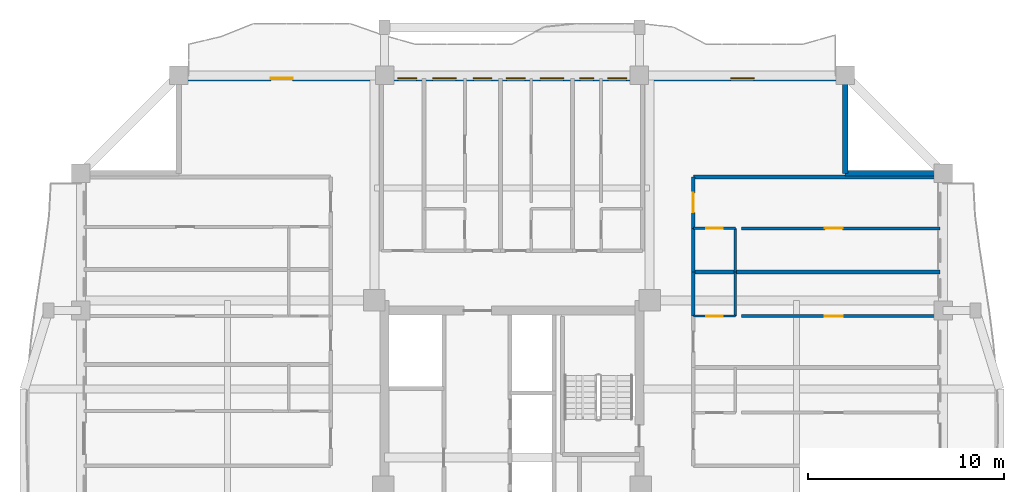
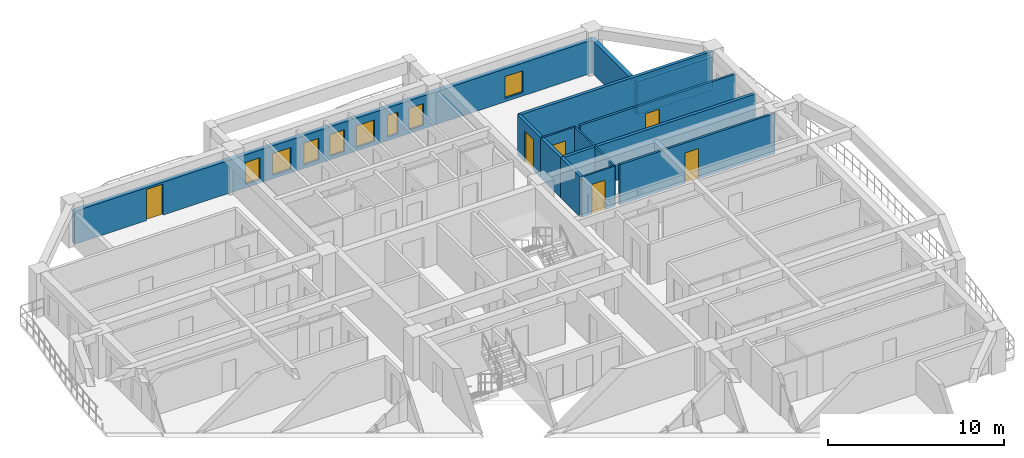
# One storey, part 8 of 15: 14 walls, 8 windows, 6 doors, 14 openings.
"""IFC4 building model written with IfcOpenShell, lengths in metres."""

from ifc_helpers import new_model, si_unit, direction, frame, frame_2d, origin, place, context, subcontext, project, spatial, rectangle, extrude, source, transform, mapped, material, layer, layer_set, type_object, element, fill, save


model = new_model("IFC4")

# Units and contexts
model_context = context("Model", 3, precision=1e-05, world=origin(), true_north=direction((0.0, 1.0)))
body_context = subcontext(model_context, "Body", "Model", "MODEL_VIEW")
ifc_project = project(units=[si_unit("LENGTHUNIT", "METRE"), si_unit("AREAUNIT", "SQUARE_METRE"), si_unit("VOLUMEUNIT", "CUBIC_METRE"), si_unit("PLANEANGLEUNIT", "RADIAN"), si_unit("MASSUNIT", "GRAM", prefix="KILO")], contexts=[model_context])

# Site, building, storey
site_placement = place(None, origin())
site = spatial("IfcSite", under=ifc_project, at=site_placement, CompositionType="ELEMENT")
building_placement = place(site_placement, origin())
building = spatial("IfcBuilding", under=site, at=building_placement, Name="Saelheon Loggia Tower", CompositionType="ELEMENT")
storey_placement = place(building_placement, frame((0.0, 0.0, 163.0)))
storey = spatial("IfcBuildingStorey", under=building, at=storey_placement, Name="L51", CompositionType="ELEMENT", Elevation=163.0)

# Wall, openings, windows, door
ifc_material_1 = material(Name="Architectural Precast Concrete C40/50", Category="concrete")
ifc_layer_1 = layer(ifc_material_1, 0.280029296875)
ifc_layer_set_1 = layer_set([ifc_layer_1], Name="Architectural Precast Concrete C40/50")
wall_type_1 = type_object("IfcWallType", Name="Wall_Ext_Loggia_280", PredefinedType="SOLIDWALL", material=ifc_layer_set_1)
wall_1_placement = place(storey_placement, frame((21.0, 47.860107421875, 0.0), z_axis=(0.0, 0.0, 1.0), x_axis=(1.0, 0.0, 0.0)))
wall_1 = element("IfcWall", 1, at=wall_1_placement, inside=storey, type_object=wall_type_1, Name="L51 North Loggia Inner Wall", PredefinedType="SOLIDWALL", context=body_context, shape_type="SweptSolid", body=[
    extrude(rectangle(XDim=34.0, YDim=0.280029296875, at=frame_2d((17.0, 0.0))), origin(), (0.0, 0.0, 1.0), 2.280029296875),
])
opening_1_placement = place(wall_1_placement, frame((4.699951171875, 0.0, 0.0)))
opening_1 = element("IfcOpeningElement", 2, at=opening_1_placement, cuts=wall_1, Name="Opening TD1", PredefinedType="OPENING", context=body_context, shape_type="SweptSolid", body=[
    extrude(rectangle(XDim=1.10009765625, YDim=2.14990234375, at=frame_2d((0.550048828125, 1.074951171875))), frame((0.0, 0.152099609375, 0.0), z_axis=(0.0, -1.0, 0.0), x_axis=(1.0, 0.0, 0.0)), (0.0, 0.0, 1.0), 0.303955078125),
])
opening_2_placement = place(wall_1_placement, frame((11.1826171875, 0.0, 0.25)))
opening_2 = element("IfcOpeningElement", 3, at=opening_2_placement, cuts=wall_1, Name="Opening WN-04", PredefinedType="OPENING", context=body_context, shape_type="SweptSolid", body=[
    extrude(rectangle(XDim=0.949951171875, YDim=1.5, at=frame_2d((0.47509765625, 0.75))), frame((0.0, 0.152099609375, 0.0), z_axis=(0.0, -1.0, 0.0), x_axis=(1.0, 0.0, 0.0)), (0.0, 0.0, 1.0), 0.303955078125),
])
opening_3_placement = place(wall_1_placement, frame((12.949951171875, 0.0, 0.25)))
opening_3 = element("IfcOpeningElement", 4, at=opening_3_placement, cuts=wall_1, Name="Opening WN-03", PredefinedType="OPENING", context=body_context, shape_type="SweptSolid", body=[
    extrude(rectangle(XDim=1.199951171875, YDim=1.5, at=frame_2d((0.60009765625, 0.75))), frame((0.0, 0.152099609375, 0.0), z_axis=(0.0, -1.0, 0.0), x_axis=(1.0, 0.0, 0.0)), (0.0, 0.0, 1.0), 0.303955078125),
])
opening_4_placement = place(wall_1_placement, frame((15.0263671875, 0.0, 0.25)))
opening_4 = element("IfcOpeningElement", 5, at=opening_4_placement, cuts=wall_1, Name="Opening WN-04", PredefinedType="OPENING", context=body_context, shape_type="SweptSolid", body=[
    extrude(rectangle(XDim=0.949951171875, YDim=1.5, at=frame_2d((0.47509765625, 0.75))), frame((0.0, 0.152099609375, 0.0), z_axis=(0.0, -1.0, 0.0), x_axis=(1.0, 0.0, 0.0)), (0.0, 0.0, 1.0), 0.303955078125),
])
opening_5_placement = place(wall_1_placement, frame((16.71728515625, 0.0, 0.25)))
opening_5 = element("IfcOpeningElement", 6, at=opening_5_placement, cuts=wall_1, Name="Opening WN-04", PredefinedType="OPENING", context=body_context, shape_type="SweptSolid", body=[
    extrude(rectangle(XDim=0.949951171875, YDim=1.5, at=frame_2d((0.47509765625, 0.75))), frame((0.0, 0.152099609375, 0.0), z_axis=(0.0, -1.0, 0.0), x_axis=(1.0, 0.0, 0.0)), (0.0, 0.0, 1.0), 0.303955078125),
])
opening_6_placement = place(wall_1_placement, frame((18.431884765625, 0.0, 0.25)))
opening_6 = element("IfcOpeningElement", 7, at=opening_6_placement, cuts=wall_1, Name="Opening WN-03", PredefinedType="OPENING", context=body_context, shape_type="SweptSolid", body=[
    extrude(rectangle(XDim=1.199951171875, YDim=1.5, at=frame_2d((0.60009765625, 0.75))), frame((0.0, 0.152099609375, 0.0), z_axis=(0.0, -1.0, 0.0), x_axis=(1.0, 0.0, 0.0)), (0.0, 0.0, 1.0), 0.303955078125),
])
opening_7_placement = place(wall_1_placement, frame((20.466064453125, 0.0, 0.25)))
opening_7 = element("IfcOpeningElement", 8, at=opening_7_placement, cuts=wall_1, Name="Opening WN-06", PredefinedType="OPENING", context=body_context, shape_type="SweptSolid", body=[
    extrude(rectangle(XDim=0.699951171875, YDim=1.5, at=frame_2d((0.35009765625, 0.75))), frame((0.0, 0.152099609375, 0.0), z_axis=(0.0, -1.0, 0.0), x_axis=(1.0, 0.0, 0.0)), (0.0, 0.0, 1.0), 0.303955078125),
])
opening_8_placement = place(wall_1_placement, frame((21.892578125, 0.0, 0.25)))
opening_8 = element("IfcOpeningElement", 9, at=opening_8_placement, cuts=wall_1, Name="Opening WN-04", PredefinedType="OPENING", context=body_context, shape_type="SweptSolid", body=[
    extrude(rectangle(XDim=0.949951171875, YDim=1.5, at=frame_2d((0.47509765625, 0.75))), frame((0.0, 0.152099609375, 0.0), z_axis=(0.0, -1.0, 0.0), x_axis=(1.0, 0.0, 0.0)), (0.0, 0.0, 1.0), 0.303955078125),
])
opening_9_placement = place(wall_1_placement, frame((28.14990234375, 0.0, 0.25)))
opening_9 = element("IfcOpeningElement", 10, at=opening_9_placement, cuts=wall_1, Name="Opening WN-03", PredefinedType="OPENING", context=body_context, shape_type="SweptSolid", body=[
    extrude(rectangle(XDim=1.199951171875, YDim=1.5, at=frame_2d((0.60009765625, 0.75))), frame((0.0, 0.152099609375, 0.0), z_axis=(0.0, -1.0, 0.0), x_axis=(1.0, 0.0, 0.0)), (0.0, 0.0, 1.0), 0.303955078125),
])
ifc_material_2 = material(Name="Thermal-Break Aluminium and Triple Low-E Glass", Category="aluminium")
window_type_1 = type_object("IfcWindowType", Name="Win_Slot_700x1500", PartitioningType="SINGLE_PANEL", PredefinedType="WINDOW", material=ifc_material_2)
shared_shape_1 = source(origin(), body_context, "Body", "SweptSolid", [
    extrude(rectangle(XDim=0.699951171875, YDim=1.5, at=frame_2d((0.35009765625, 0.75))), frame((0.0, 0.030029296875, 0.0), z_axis=(0.0, -1.0, 0.0), x_axis=(1.0, 0.0, 0.0)), (0.0, 0.0, 1.0), 0.06005859375),
])
window_1_placement = place(opening_7_placement, origin())
window_1 = element("IfcWindow", 11, at=window_1_placement, inside=storey, type_object=window_type_1, Name="L51 N Dwelling Window 7", OverallHeight=1.5, OverallWidth=0.699951171875, PartitioningType="SINGLE_PANEL", PredefinedType="WINDOW", context=body_context, shape_type="MappedRepresentation", body=[
    mapped(shared_shape_1, transform((0.0, 0.0, 0.0), scale=1.0)),
])
fill(opening_7, window_1)
window_type_2 = type_object("IfcWindowType", Name="Win_Bedroom_1200x1500", PartitioningType="SINGLE_PANEL", PredefinedType="WINDOW", material=ifc_material_2)
shared_shape_2 = source(origin(), body_context, "Body", "SweptSolid", [
    extrude(rectangle(XDim=1.199951171875, YDim=1.5, at=frame_2d((0.60009765625, 0.75))), frame((0.0, 0.030029296875, 0.0), z_axis=(0.0, -1.0, 0.0), x_axis=(1.0, 0.0, 0.0)), (0.0, 0.0, 1.0), 0.06005859375),
])
window_2_placement = place(opening_3_placement, origin())
window_2 = element("IfcWindow", 12, at=window_2_placement, inside=storey, type_object=window_type_2, Name="L51 N Dwelling Window 3", OverallHeight=1.5, OverallWidth=1.199951171875, PartitioningType="SINGLE_PANEL", PredefinedType="WINDOW", context=body_context, shape_type="MappedRepresentation", body=[
    mapped(shared_shape_2, transform((0.0, 0.0, 0.0), scale=1.0)),
])
fill(opening_3, window_2)
window_3_placement = place(opening_6_placement, origin())
window_3 = element("IfcWindow", 13, at=window_3_placement, inside=storey, type_object=window_type_2, Name="L51 N Dwelling Window 6", OverallHeight=1.5, OverallWidth=1.199951171875, PartitioningType="SINGLE_PANEL", PredefinedType="WINDOW", context=body_context, shape_type="MappedRepresentation", body=[
    mapped(shared_shape_2, transform((0.0, 0.0, 0.0), scale=1.0)),
])
fill(opening_6, window_3)
window_4_placement = place(opening_9_placement, origin())
window_4 = element("IfcWindow", 14, at=window_4_placement, inside=storey, type_object=window_type_2, Name="L51 N Dwelling Window 9", OverallHeight=1.5, OverallWidth=1.199951171875, PartitioningType="SINGLE_PANEL", PredefinedType="WINDOW", context=body_context, shape_type="MappedRepresentation", body=[
    mapped(shared_shape_2, transform((0.0, 0.0, 0.0), scale=1.0)),
])
fill(opening_9, window_4)
ifc_material_3 = material(Name="Thermal-Break Aluminium Glazed Door", Category="aluminium")
door_type_1 = type_object("IfcDoorType", Name="Door_Terrace_TD1", OperationType="NOTDEFINED", PredefinedType="DOOR", material=ifc_material_3)
shared_shape_3 = source(origin(), body_context, "Body", "SweptSolid", [
    extrude(rectangle(XDim=1.10009765625, YDim=2.14990234375, at=frame_2d((0.550048828125, 1.074951171875))), frame((0.0, 0.02490234375, 0.0), z_axis=(0.0, -1.0, 0.0), x_axis=(1.0, 0.0, 0.0)), (0.0, 0.0, 1.0), 0.050048828125),
])
door_1_placement = place(opening_1_placement, origin())
door_1 = element("IfcDoor", 15, at=door_1_placement, inside=storey, type_object=door_type_1, Name="L51 N Loggia Access Door", OperationType="SINGLE_SWING_LEFT", OverallHeight=2.14990234375, OverallWidth=1.10009765625, PredefinedType="DOOR", context=body_context, shape_type="MappedRepresentation", body=[
    mapped(shared_shape_3, transform((0.0, 0.0, 0.0), scale=1.0)),
])
fill(opening_1, door_1)
window_type_3 = type_object("IfcWindowType", Name="Win_Narrow_950x1500", PartitioningType="SINGLE_PANEL", PredefinedType="WINDOW", material=ifc_material_2)
shared_shape_4 = source(origin(), body_context, "Body", "SweptSolid", [
    extrude(rectangle(XDim=0.949951171875, YDim=1.5, at=frame_2d((0.47509765625, 0.75))), frame((0.0, 0.030029296875, 0.0), z_axis=(0.0, -1.0, 0.0), x_axis=(1.0, 0.0, 0.0)), (0.0, 0.0, 1.0), 0.06005859375),
])
window_5_placement = place(opening_2_placement, origin())
window_5 = element("IfcWindow", 16, at=window_5_placement, inside=storey, type_object=window_type_3, Name="L51 N Dwelling Window 2", OverallHeight=1.5, OverallWidth=0.949951171875, PartitioningType="SINGLE_PANEL", PredefinedType="WINDOW", context=body_context, shape_type="MappedRepresentation", body=[
    mapped(shared_shape_4, transform((0.0, 0.0, 0.0), scale=1.0)),
])
fill(opening_2, window_5)
window_6_placement = place(opening_4_placement, origin())
window_6 = element("IfcWindow", 17, at=window_6_placement, inside=storey, type_object=window_type_3, Name="L51 N Dwelling Window 4", OverallHeight=1.5, OverallWidth=0.949951171875, PartitioningType="SINGLE_PANEL", PredefinedType="WINDOW", context=body_context, shape_type="MappedRepresentation", body=[
    mapped(shared_shape_4, transform((0.0, 0.0, 0.0), scale=1.0)),
])
fill(opening_4, window_6)
window_7_placement = place(opening_5_placement, origin())
window_7 = element("IfcWindow", 18, at=window_7_placement, inside=storey, type_object=window_type_3, Name="L51 N Dwelling Window 5", OverallHeight=1.5, OverallWidth=0.949951171875, PartitioningType="SINGLE_PANEL", PredefinedType="WINDOW", context=body_context, shape_type="MappedRepresentation", body=[
    mapped(shared_shape_4, transform((0.0, 0.0, 0.0), scale=1.0)),
])
fill(opening_5, window_7)
window_8_placement = place(opening_8_placement, origin())
window_8 = element("IfcWindow", 19, at=window_8_placement, inside=storey, type_object=window_type_3, Name="L51 N Dwelling Window 8", OverallHeight=1.5, OverallWidth=0.949951171875, PartitioningType="SINGLE_PANEL", PredefinedType="WINDOW", context=body_context, shape_type="MappedRepresentation", body=[
    mapped(shared_shape_4, transform((0.0, 0.0, 0.0), scale=1.0)),
])
fill(opening_8, window_8)

# Walls
for number, where, z_axis, x_axis, name in (
    (20, (55.0, 43.0, 0.0), (0.0, 0.0, 1.0), (0.0, 1.0, 0.0), "L51 Corner Notch Precast Wall NE1"),
    (21, (55.0, 43.0, 0.0), (0.0, 0.0, 1.0), (1.0, 0.0, 0.0), "L51 Corner Notch Precast Wall NE2"),
):
    element("IfcWall", number, at=place(storey_placement, frame(where, z_axis=z_axis, x_axis=x_axis)), inside=storey, type_object=wall_type_1, Name=name, PredefinedType="SOLIDWALL", context=body_context, shape_type="SweptSolid", body=[
        extrude(rectangle(XDim=4.919921875, YDim=0.280029296875, at=frame_2d((2.4599609375, 0.0))), origin(), (0.0, 0.0, 1.0), 2.280029296875),
    ])

# Wall, opening, door
ifc_material_4 = material(Name="Lightweight Autoclaved Aerated Concrete Block and Acoustic Gypsum", Category="concrete")
ifc_layer_2 = layer(ifc_material_4, 0.14990234375)
ifc_layer_set_2 = layer_set([ifc_layer_2], Name="Lightweight Autoclaved Aerated Concrete Block and Acoustic Gypsum")
wall_type_2 = type_object("IfcWallType", Name="Wall_Part_150", PredefinedType="PARTITIONING", material=ifc_layer_set_2)
wall_2_placement = place(storey_placement, frame((49.7099609375, 35.719970703125, 0.0), z_axis=(0.0, 0.0, 1.0), x_axis=(1.0, 0.0, 0.0)))
wall_2 = element("IfcWall", 22, at=wall_2_placement, inside=storey, type_object=wall_type_2, Name="L51 EN Partition U13", PredefinedType="PARTITIONING", context=body_context, shape_type="SweptSolid", body=[
    extrude(rectangle(XDim=10.14013671875, YDim=0.14990234375, at=frame_2d((5.070068359375, 0.0))), origin(), (0.0, 0.0, 1.0), 2.7900390625),
])
opening_10_placement = place(wall_2_placement, frame((4.2548828125, 0.0, 0.0)))
opening_10 = element("IfcOpeningElement", 23, at=opening_10_placement, cuts=wall_2, Name="Opening D-IN2", PredefinedType="OPENING", context=body_context, shape_type="SweptSolid", body=[
    extrude(rectangle(XDim=0.89990234375, YDim=2.10009765625, at=frame_2d((0.449951171875, 1.050048828125))), frame((0.0, 0.0869140625, 0.0), z_axis=(0.0, -1.0, 0.0), x_axis=(1.0, 0.0, 0.0)), (0.0, 0.0, 1.0), 0.173828125),
])
ifc_material_5 = material(Name="Engineered Oak Flush Door", Category="timber")
door_type_2 = type_object("IfcDoorType", Name="Door_Int_900", OperationType="NOTDEFINED", PredefinedType="DOOR", material=ifc_material_5)
shared_shape_5 = source(origin(), body_context, "Body", "SweptSolid", [
    extrude(rectangle(XDim=0.89990234375, YDim=2.10009765625, at=frame_2d((0.449951171875, 1.050048828125))), frame((0.0, 0.02490234375, 0.0), z_axis=(0.0, -1.0, 0.0), x_axis=(1.0, 0.0, 0.0)), (0.0, 0.0, 1.0), 0.050048828125),
])
door_2_placement = place(opening_10_placement, origin())
door_2 = element("IfcDoor", 24, at=door_2_placement, inside=storey, type_object=door_type_2, Name="Unit U17 Kitchen Door", OperationType="SINGLE_SWING_LEFT", OverallHeight=2.10009765625, OverallWidth=0.89990234375, PredefinedType="DOOR", context=body_context, shape_type="MappedRepresentation", body=[
    mapped(shared_shape_5, transform((0.0, 0.0, 0.0), scale=1.0)),
])
fill(opening_10, door_2)

wall_3_placement = place(storey_placement, frame((49.7099609375, 40.193359375, 0.0), z_axis=(0.0, 0.0, 1.0), x_axis=(1.0, 0.0, 0.0)))
wall_3 = element("IfcWall", 25, at=wall_3_placement, inside=storey, type_object=wall_type_2, Name="L51 EN Partition U19", PredefinedType="PARTITIONING", context=body_context, shape_type="SweptSolid", body=[
    extrude(rectangle(XDim=10.14013671875, YDim=0.14990234375, at=frame_2d((5.070068359375, 0.0))), origin(), (0.0, 0.0, 1.0), 2.7900390625),
])
opening_11_placement = place(wall_3_placement, frame((4.2548828125, 0.0, 0.0)))
opening_11 = element("IfcOpeningElement", 26, at=opening_11_placement, cuts=wall_3, Name="Opening D-IN2", PredefinedType="OPENING", context=body_context, shape_type="SweptSolid", body=[
    extrude(rectangle(XDim=0.89990234375, YDim=2.10009765625, at=frame_2d((0.449951171875, 1.050048828125))), frame((0.0, 0.0869140625, 0.0), z_axis=(0.0, -1.0, 0.0), x_axis=(1.0, 0.0, 0.0)), (0.0, 0.0, 1.0), 0.173828125),
])
door_3_placement = place(opening_11_placement, origin())
door_3 = element("IfcDoor", 27, at=door_3_placement, inside=storey, type_object=door_type_2, Name="Unit U18 Kitchen Door", OperationType="SINGLE_SWING_RIGHT", OverallHeight=2.10009765625, OverallWidth=0.89990234375, PredefinedType="DOOR", context=body_context, shape_type="MappedRepresentation", body=[
    mapped(shared_shape_5, transform((0.0, 0.0, 0.0), scale=1.0)),
])
fill(opening_11, door_3)

# Walls
ifc_material_6 = material(Name="Double Acoustic Stud and Fireboard Partition", Category="gypsum")
ifc_layer_3 = layer(ifc_material_6, 0.199951171875)
ifc_layer_set_3 = layer_set([ifc_layer_3], Name="Double Acoustic Stud and Fireboard Partition")
wall_type_3 = type_object("IfcWallType", Name="Wall_Party_200", PredefinedType="PARTITIONING", material=ifc_layer_set_3)
wall_4_placement = place(storey_placement, frame((47.25, 42.820068359375, 0.0), z_axis=(0.0, 0.0, 1.0), x_axis=(1.0, 0.0, 0.0)))
element("IfcWall", 28, at=wall_4_placement, inside=storey, type_object=wall_type_3, Name="L51 EN Partition U02", PredefinedType="PARTITIONING", context=body_context, shape_type="SweptSolid", body=[
    extrude(rectangle(XDim=12.60009765625, YDim=0.199951171875, at=frame_2d((6.300048828125, 0.0))), origin(), (0.0, 0.0, 1.0), 2.7900390625),
])
wall_5_placement = place(storey_placement, frame((47.25, 35.719970703125, 0.0), z_axis=(0.0, 0.0, 1.0), x_axis=(0.0, 1.0, 0.0)))
element("IfcWall", 29, at=wall_5_placement, inside=storey, type_object=wall_type_3, Name="L51 EN Partition V10", PredefinedType="PARTITIONING", context=body_context, shape_type="SweptSolid", body=[
    extrude(rectangle(XDim=2.23583984375, YDim=0.199951171875, at=frame_2d((1.117919921875, 0.0))), origin(), (0.0, 0.0, 1.0), 2.7900390625),
])
wall_6_placement = place(storey_placement, frame((47.25, 37.955810546875, 0.0), z_axis=(0.0, 0.0, 1.0), x_axis=(1.0, 0.0, 0.0)))
element("IfcWall", 30, at=wall_6_placement, inside=storey, type_object=wall_type_3, Name="L51 EN Partition U14", PredefinedType="PARTITIONING", context=body_context, shape_type="SweptSolid", body=[
    extrude(rectangle(XDim=12.60009765625, YDim=0.199951171875, at=frame_2d((6.300048828125, 0.0))), origin(), (0.0, 0.0, 1.0), 2.7900390625),
])
wall_7_placement = place(storey_placement, frame((47.25, 37.955810546875, 0.0), z_axis=(0.0, 0.0, 1.0), x_axis=(0.0, 1.0, 0.0)))
element("IfcWall", 31, at=wall_7_placement, inside=storey, type_object=wall_type_3, Name="L51 EN Partition V15", PredefinedType="PARTITIONING", context=body_context, shape_type="SweptSolid", body=[
    extrude(rectangle(XDim=2.237548828125, YDim=0.199951171875, at=frame_2d((1.11865234375, 0.0))), origin(), (0.0, 0.0, 1.0), 2.7900390625),
])

# Wall, opening, door
wall_8_placement = place(storey_placement, frame((47.25, 40.193359375, 0.0), z_axis=(0.0, 0.0, 1.0), x_axis=(0.0, 1.0, 0.0)))
wall_8 = element("IfcWall", 32, at=wall_8_placement, inside=storey, type_object=wall_type_3, Name="L51 EN Partition V16", PredefinedType="PARTITIONING", context=body_context, shape_type="SweptSolid", body=[
    extrude(rectangle(XDim=2.626708984375, YDim=0.199951171875, at=frame_2d((1.3134765625, 0.0))), origin(), (0.0, 0.0, 1.0), 2.7900390625),
])
opening_12_placement = place(wall_8_placement, frame((0.813232421875, 0.0, 0.0)))
opening_12 = element("IfcOpeningElement", 33, at=opening_12_placement, cuts=wall_8, Name="Opening D-FD1", PredefinedType="OPENING", context=body_context, shape_type="SweptSolid", body=[
    extrude(rectangle(XDim=1.0, YDim=2.14990234375, at=frame_2d((0.5, 1.074951171875))), frame((0.0, 0.112060546875, 0.0), z_axis=(0.0, -1.0, 0.0), x_axis=(1.0, 0.0, 0.0)), (0.0, 0.0, 1.0), 0.223876953125),
])
ifc_material_7 = material(Name="Fire-Rated Engineered Timber Entrance Door", Category="wood")
door_type_3 = type_object("IfcDoorType", Name="Door_Flat_FD30S", OperationType="NOTDEFINED", PredefinedType="DOOR", material=ifc_material_7)
shared_shape_6 = source(origin(), body_context, "Body", "SweptSolid", [
    extrude(rectangle(XDim=1.0, YDim=2.14990234375, at=frame_2d((0.5, 1.074951171875))), frame((0.0, 0.02490234375, 0.0), z_axis=(0.0, -1.0, 0.0), x_axis=(1.0, 0.0, 0.0)), (0.0, 0.0, 1.0), 0.050048828125),
])
door_4_placement = place(opening_12_placement, origin())
door_4 = element("IfcDoor", 34, at=door_4_placement, inside=storey, type_object=door_type_3, Name="Unit U18 Entrance Door", OperationType="SINGLE_SWING_RIGHT", OverallHeight=2.14990234375, OverallWidth=1.0, PredefinedType="DOOR", context=body_context, shape_type="MappedRepresentation", body=[
    mapped(shared_shape_6, transform((0.0, 0.0, 0.0), scale=1.0)),
])
fill(opening_12, door_4)

ifc_material_8 = material(Name="Moisture-Resistant Cement Board Partition", Category="gypsum")
ifc_layer_4 = layer(ifc_material_8, 0.1201171875)
ifc_layer_set_4 = layer_set([ifc_layer_4], Name="Moisture-Resistant Cement Board Partition")
wall_type_4 = type_object("IfcWallType", Name="Wall_WetPart_120", PredefinedType="PARTITIONING", material=ifc_layer_set_4)
wall_9_placement = place(storey_placement, frame((47.25, 35.719970703125, 0.0), z_axis=(0.0, 0.0, 1.0), x_axis=(1.0, 0.0, 0.0)))
wall_9 = element("IfcWall", 35, at=wall_9_placement, inside=storey, type_object=wall_type_4, Name="L51 EN Partition U11", PredefinedType="PARTITIONING", context=body_context, shape_type="SweptSolid", body=[
    extrude(rectangle(XDim=2.14990234375, YDim=0.1201171875, at=frame_2d((1.074951171875, 0.0))), origin(), (0.0, 0.0, 1.0), 2.7900390625),
])
opening_13_placement = place(wall_9_placement, frame((0.64990234375, 0.0, 0.0)))
opening_13 = element("IfcOpeningElement", 36, at=opening_13_placement, cuts=wall_9, Name="Opening D-BT1", PredefinedType="OPENING", context=body_context, shape_type="SweptSolid", body=[
    extrude(rectangle(XDim=0.85009765625, YDim=2.050048828125, at=frame_2d((0.425048828125, 1.02490234375))), frame((0.0, 0.072021484375, 0.0), z_axis=(0.0, -1.0, 0.0), x_axis=(1.0, 0.0, 0.0)), (0.0, 0.0, 1.0), 0.14404296875),
])
ifc_material_9 = material(Name="Moisture-Resistant Laminate Timber Door", Category="wood")
door_type_4 = type_object("IfcDoorType", Name="Door_Bath_850", OperationType="NOTDEFINED", PredefinedType="DOOR", material=ifc_material_9)
shared_shape_7 = source(origin(), body_context, "Body", "SweptSolid", [
    extrude(rectangle(XDim=0.85009765625, YDim=2.050048828125, at=frame_2d((0.425048828125, 1.02490234375))), frame((0.0, 0.02490234375, 0.0), z_axis=(0.0, -1.0, 0.0), x_axis=(1.0, 0.0, 0.0)), (0.0, 0.0, 1.0), 0.050048828125),
])
door_5_placement = place(opening_13_placement, origin())
door_5 = element("IfcDoor", 37, at=door_5_placement, inside=storey, type_object=door_type_4, Name="Unit U17 Bathroom Door", OperationType="SINGLE_SWING_RIGHT", OverallHeight=2.050048828125, OverallWidth=0.85009765625, PredefinedType="DOOR", context=body_context, shape_type="MappedRepresentation", body=[
    mapped(shared_shape_7, transform((0.0, 0.0, 0.0), scale=1.0)),
])
fill(opening_13, door_5)

# Wall
wall_10_placement = place(storey_placement, frame((49.39990234375, 35.719970703125, 0.0), z_axis=(0.0, 0.0, 1.0), x_axis=(0.0, 1.0, 0.0)))
element("IfcWall", 38, at=wall_10_placement, inside=storey, type_object=wall_type_4, Name="L51 EN Partition V12", PredefinedType="PARTITIONING", context=body_context, shape_type="SweptSolid", body=[
    extrude(rectangle(XDim=2.23583984375, YDim=0.1201171875, at=frame_2d((1.117919921875, 0.0))), origin(), (0.0, 0.0, 1.0), 2.7900390625),
])

# Wall, opening, door
wall_11_placement = place(storey_placement, frame((47.25, 40.193359375, 0.0), z_axis=(0.0, 0.0, 1.0), x_axis=(1.0, 0.0, 0.0)))
wall_11 = element("IfcWall", 39, at=wall_11_placement, inside=storey, type_object=wall_type_4, Name="L51 EN Partition U17", PredefinedType="PARTITIONING", context=body_context, shape_type="SweptSolid", body=[
    extrude(rectangle(XDim=2.14990234375, YDim=0.1201171875, at=frame_2d((1.074951171875, 0.0))), origin(), (0.0, 0.0, 1.0), 2.7900390625),
])
opening_14_placement = place(wall_11_placement, frame((0.64990234375, 0.0, 0.0)))
opening_14 = element("IfcOpeningElement", 40, at=opening_14_placement, cuts=wall_11, Name="Opening D-BT1", PredefinedType="OPENING", context=body_context, shape_type="SweptSolid", body=[
    extrude(rectangle(XDim=0.85009765625, YDim=2.050048828125, at=frame_2d((0.425048828125, 1.02490234375))), frame((0.0, 0.072021484375, 0.0), z_axis=(0.0, -1.0, 0.0), x_axis=(1.0, 0.0, 0.0)), (0.0, 0.0, 1.0), 0.14404296875),
])
door_6_placement = place(opening_14_placement, origin())
door_6 = element("IfcDoor", 41, at=door_6_placement, inside=storey, type_object=door_type_4, Name="Unit U18 Bathroom Door", OperationType="SINGLE_SWING_LEFT", OverallHeight=2.050048828125, OverallWidth=0.85009765625, PredefinedType="DOOR", context=body_context, shape_type="MappedRepresentation", body=[
    mapped(shared_shape_7, transform((0.0, 0.0, 0.0), scale=1.0)),
])
fill(opening_14, door_6)

# Wall
wall_12_placement = place(storey_placement, frame((49.39990234375, 37.955810546875, 0.0), z_axis=(0.0, 0.0, 1.0), x_axis=(0.0, 1.0, 0.0)))
element("IfcWall", 42, at=wall_12_placement, inside=storey, type_object=wall_type_4, Name="L51 EN Partition V18", PredefinedType="PARTITIONING", context=body_context, shape_type="SweptSolid", body=[
    extrude(rectangle(XDim=2.237548828125, YDim=0.1201171875, at=frame_2d((1.11865234375, 0.0))), origin(), (0.0, 0.0, 1.0), 2.7900390625),
])

save(model, "model.ifc")
